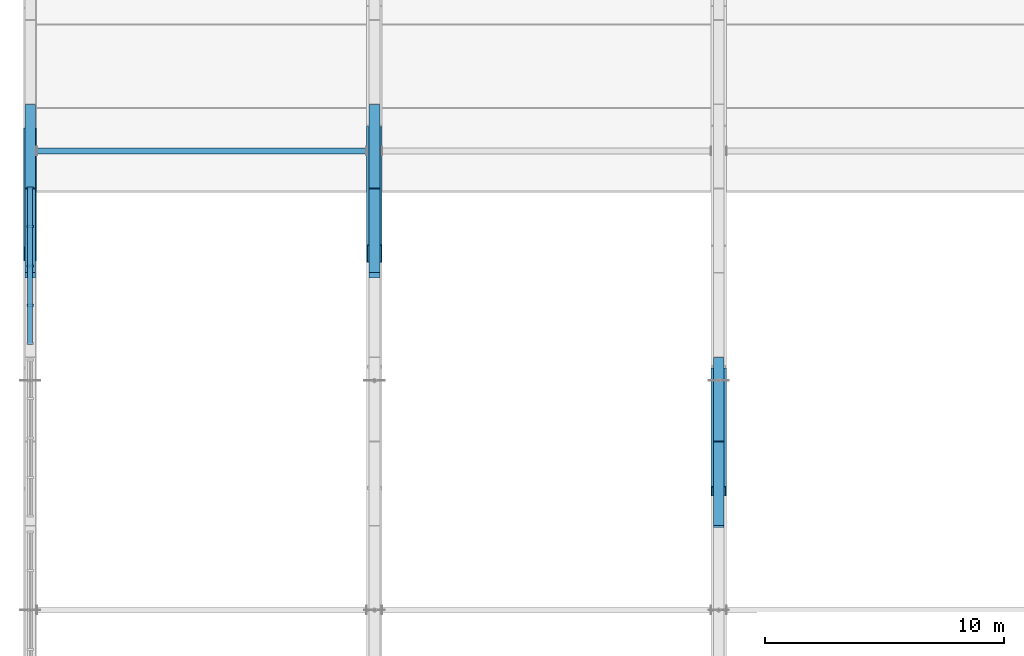
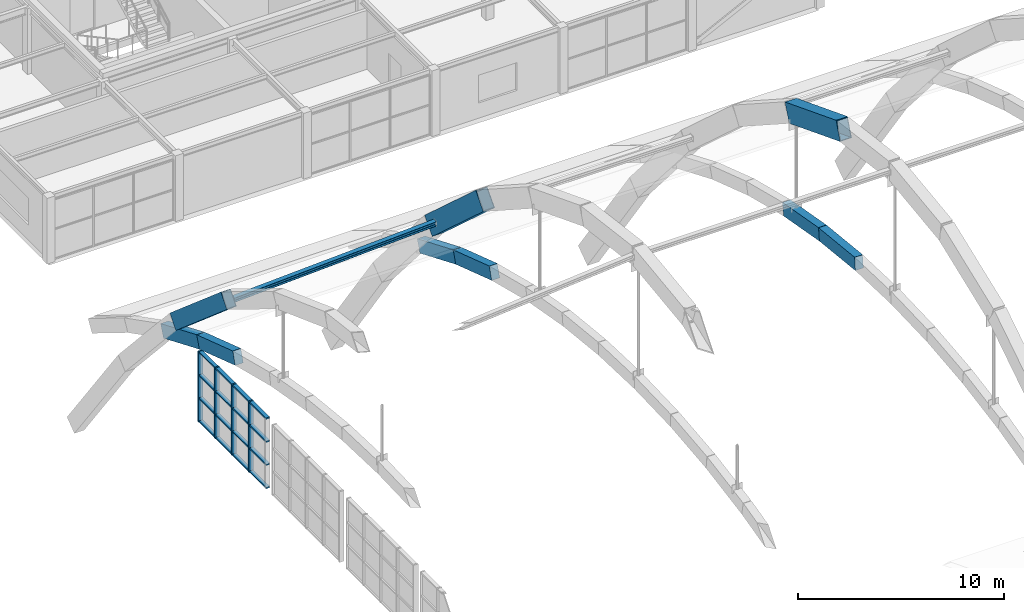
# One storey, part 13 of 64: 12 members, 6 beams, 1 element without a shape of its own.
"""IFC4 building model written with IfcOpenShell, lengths in metres."""

import ifcopenshell
import ifcopenshell.guid

model = None  # the IFC model being written
_history = None  # IfcOwnerHistory: only IFC2X3 demands one
_inside = {}  # id of a spatial element -> (the spatial element, [elements in it])
_under = {}  # id of a project, library or spatial element -> (it, [spatial elements below it])
_declared = {}  # id of a project -> (the project, [libraries it declares])
_typed = {}  # id of a type object -> (the type object, [elements of that type])
_made_of = {}  # id of a material, layer set ... -> (it, [elements and type objects made of it])


def new_model(schema):
    """Start an empty IFC model of exactly this schema.

    Asked for "IFC4X3", IfcOpenShell would pick the latest addendum, in which some entities
    have other attributes; the version numbers below select the first issue.
    IFC2X3 requires an IfcOwnerHistory on every rooted entity: one is made here for all.
    """
    global model, _history
    if schema == "IFC4X3":
        model = ifcopenshell.file(schema_version=(4, 3, 0, 0))
    else:
        model = ifcopenshell.file(schema=schema)
    _inside.clear()
    _under.clear()
    _declared.clear()
    _typed.clear()
    _made_of.clear()
    _history = None
    if model.schema == "IFC2X3":
        org = make("IfcOrganization", Name="unknown")
        user = make(
            "IfcPersonAndOrganization",
            ThePerson=make("IfcPerson", FamilyName="unknown"),
            TheOrganization=org,
        )
        app = make(
            "IfcApplication",
            ApplicationDeveloper=org,
            Version="unknown",
            ApplicationFullName="unknown",
            ApplicationIdentifier="unknown",
        )
        _history = make(
            "IfcOwnerHistory",
            OwningUser=user,
            OwningApplication=app,
            ChangeAction="ADDED",
            CreationDate=0,
        )
    return model


def make(cls, **values):
    """One entity of the class cls with the attributes given. An attribute that is None is left unset."""
    return model.create_entity(
        cls, **{name: value for name, value in values.items() if value is not None}
    )


def rooted(cls, **values):
    """An entity with a GlobalId (a new one), such as an element, a storey or a relation."""
    return make(cls, GlobalId=ifcopenshell.guid.new(), OwnerHistory=_history, **values)


def si_unit(unit_type, name, prefix=None):
    """IfcSIUnit, for example si_unit("LENGTHUNIT", "METRE", prefix="MILLI")."""
    return make("IfcSIUnit", UnitType=unit_type, Prefix=prefix, Name=name)


def assignment(units):
    """IfcUnitAssignment: the units of a project."""
    return None if units is None else make("IfcUnitAssignment", Units=units)


def point(xyz):
    """IfcCartesianPoint."""
    return None if xyz is None else make("IfcCartesianPoint", Coordinates=xyz)


def direction(xyz):
    """IfcDirection."""
    return None if xyz is None else make("IfcDirection", DirectionRatios=xyz)


def frame(location, z_axis=None, x_axis=None):
    """IfcAxis2Placement3D, a coordinate frame: its origin and axes. An axis left out is left unset."""
    return make(
        "IfcAxis2Placement3D",
        Location=point(location),
        Axis=direction(z_axis),
        RefDirection=direction(x_axis),
    )


def frame_2d(location, x_axis=None):
    """IfcAxis2Placement2D, a coordinate frame in the plane: its origin and x axis."""
    return make(
        "IfcAxis2Placement2D", Location=point(location), RefDirection=direction(x_axis)
    )


def origin():
    """The frame at (0, 0, 0) with its axes left unset."""
    return frame((0.0, 0.0, 0.0))


def origin_2d():
    """The frame at (0, 0) in the plane with its x axis left unset."""
    return frame_2d((0.0, 0.0))


def place(relative_to, where):
    """IfcLocalPlacement: puts the frame where relative to a parent placement (None: the world)."""
    return make(
        "IfcLocalPlacement", PlacementRelTo=relative_to, RelativePlacement=where
    )


def context(
    kind, dimensions, precision=None, world=None, true_north=None, identifier=None
):
    """IfcGeometricRepresentationContext, for example the 3D "Model" context."""
    return make(
        "IfcGeometricRepresentationContext",
        ContextIdentifier=identifier,
        ContextType=kind,
        CoordinateSpaceDimension=dimensions,
        Precision=precision,
        WorldCoordinateSystem=world,
        TrueNorth=true_north,
    )


def subcontext(parent, identifier, kind, view, scale=None):
    """IfcGeometricRepresentationSubContext, for example "Body" below "Model"."""
    return make(
        "IfcGeometricRepresentationSubContext",
        ContextIdentifier=identifier,
        ContextType=kind,
        ParentContext=parent,
        TargetScale=scale,
        TargetView=view,
    )


def project(units=None, contexts=None):
    """IfcProject with its units and contexts."""
    return rooted(
        "IfcProject",
        Name="project",
        RepresentationContexts=contexts,
        UnitsInContext=assignment(units),
    )


def spatial(cls, under=None, at=None, **own):
    """A site, building, storey or space (cls), placed at a placement, below another one or the project."""
    s = rooted(cls, ObjectPlacement=at, **own)
    if under is not None:
        _under.setdefault(under.id(), (under, []))[1].append(s)
    return s


def profile(cls, at=None, kind="AREA", **sizes):
    """A parametric profile (cls). Its sizes go by their IFC names, for example OverallWidth=200.0."""
    return make(cls, ProfileType=kind, Position=at, **sizes)


def rectangle(**sizes):
    """IfcRectangleProfileDef."""
    return profile("IfcRectangleProfileDef", **sizes)


def hollow_rectangle(**sizes):
    """IfcRectangleHollowProfileDef."""
    return profile("IfcRectangleHollowProfileDef", **sizes)


def i_section(**sizes):
    """IfcIShapeProfileDef."""
    return profile("IfcIShapeProfileDef", **sizes)


def extrude(swept, where, along, depth):
    """IfcExtrudedAreaSolid: the profile swept, set in the frame where, extruded along a direction by depth."""
    return make(
        "IfcExtrudedAreaSolid",
        SweptArea=swept,
        Position=where,
        ExtrudedDirection=direction(along),
        Depth=depth,
    )


def shape(context_of_items, identifier, shape_type, items):
    """IfcShapeRepresentation: the items that make up one representation, for example the "Body"."""
    return make(
        "IfcShapeRepresentation",
        ContextOfItems=context_of_items,
        RepresentationIdentifier=identifier,
        RepresentationType=shape_type,
        Items=items,
    )


def material(Name=None, Category=None):
    """IfcMaterial."""
    return make("IfcMaterial", Name=Name, Category=Category)


def material_profile(
    of_material, cross_section, Name=None, Category=None, Priority=None
):
    """IfcMaterialProfile: a cross section and its material."""
    return make(
        "IfcMaterialProfile",
        Name=Name,
        Material=of_material,
        Profile=cross_section,
        Priority=Priority,
        Category=Category,
    )


def profile_set(profiles, Name=None, composite=None):
    """IfcMaterialProfileSet."""
    return make(
        "IfcMaterialProfileSet",
        Name=Name,
        MaterialProfiles=profiles,
        CompositeProfile=composite,
    )


def made_of(thing, what):
    """Note that an element or type object is made of a material, layer set ...; save() writes the relation."""
    if what is not None:
        _made_of.setdefault(what.id(), (what, []))[1].append(thing)
    return thing


def type_object(cls, material=None, **own):
    """A type object (cls), such as IfcWallType, which elements share."""
    return made_of(rooted(cls, **own), material)


def element(
    cls,
    number,
    at=None,
    inside=None,
    cuts=None,
    type_object=None,
    material=None,
    context=None,
    identifier="Body",
    shape_type=None,
    held_by="IfcProductDefinitionShape",
    body=None,
    shapes=None,
    **own,
):
    """One element of the class cls, such as IfcWall. Its Tag is "e" and its number.

    at: its placement. inside: the storey or other place that contains it. cuts: it is an
    opening in that element (IfcRelVoidsElement). A single representation is given by context,
    identifier, shape_type and body (its items); several are given by shapes. held_by: the class
    of the entity that holds the representations. save() writes the other relations.
    """
    e = rooted(cls, Tag="e%d" % number, ObjectPlacement=at, **own)
    if body is not None:
        shapes = [shape(context, identifier, shape_type, body)]
    if shapes is not None:
        e.Representation = make(held_by, Representations=shapes)
    if inside is not None:
        _inside.setdefault(inside.id(), (inside, []))[1].append(e)
    if cuts is not None:
        rooted(
            "IfcRelVoidsElement", RelatingBuildingElement=cuts, RelatedOpeningElement=e
        )
    if type_object is not None:
        _typed.setdefault(type_object.id(), (type_object, []))[1].append(e)
    return made_of(e, material)


def aggregate(whole, parts):
    """IfcRelAggregates: a whole, such as a stair, and the parts it consists of."""
    return rooted("IfcRelAggregates", RelatingObject=whole, RelatedObjects=parts)


def save(model, path):
    """Write the relations noted so far, then the file.

    IfcRelAggregates (storeys below a building ...), IfcRelContainedInSpatialStructure (elements
    in a storey), IfcRelDefinesByType, IfcRelAssociatesMaterial and IfcRelDeclares: one each for
    every whole, place, type object, material and project.
    """
    for whole, parts in _under.values():
        aggregate(whole, parts)
    for where, things in _inside.values():
        rooted(
            "IfcRelContainedInSpatialStructure",
            RelatedElements=things,
            RelatingStructure=where,
        )
    for kind, things in _typed.values():
        rooted("IfcRelDefinesByType", RelatedObjects=things, RelatingType=kind)
    for what, things in _made_of.values():
        rooted("IfcRelAssociatesMaterial", RelatedObjects=things, RelatingMaterial=what)
    for by, libraries in _declared.values():
        rooted("IfcRelDeclares", RelatingContext=by, RelatedDefinitions=libraries)
    model.write(path)


model = new_model("IFC4")

# Units and contexts
model_context = context("Model", 3, precision=1e-05, world=origin(), true_north=direction((0.0, 1.0)))
body_context = subcontext(model_context, "Body", "Model", "MODEL_VIEW")
ifc_project = project(units=[si_unit("LENGTHUNIT", "METRE"), si_unit("AREAUNIT", "SQUARE_METRE"), si_unit("VOLUMEUNIT", "CUBIC_METRE"), si_unit("PLANEANGLEUNIT", "RADIAN"), si_unit("MASSUNIT", "GRAM", prefix="KILO")], contexts=[model_context])

# Site, building, storey
site_placement = place(None, origin())
site = spatial("IfcSite", under=ifc_project, at=site_placement, CompositionType="ELEMENT")
building_placement = place(site_placement, origin())
building = spatial("IfcBuilding", under=site, at=building_placement, Name="Leyfeld Transit Interchange", CompositionType="ELEMENT")
storey_placement = place(building_placement, frame((0.0, 0.0, 9.60009765625)))
storey = spatial("IfcBuildingStorey", under=building, at=storey_placement, Name="L02", CompositionType="ELEMENT", Elevation=9.60009765625)

# Beams
ifc_material_1 = material(Name="Concrete C40/50", Category="concrete")
ifc_material_profile_1 = material_profile(ifc_material_1, rectangle(XDim=0.449951171875, YDim=0.75, at=origin_2d()), Name="RC 750x450 RIB")
ifc_profile_set_1 = profile_set([ifc_material_profile_1], Name="Concrete C40/50")
beam_type = type_object("IfcBeamType", Name="BM-RIB-750x450", PredefinedType="USERDEFINED", material=ifc_profile_set_1)
beam_1_placement = place(storey_placement, frame((0.0, 46.39990234375, 5.440185546875), z_axis=(0.0, 0.949033570575, -0.315175002058), x_axis=(-1.0, 0.0, 0.0)))
element("IfcBeam", 1, at=beam_1_placement, inside=storey, type_object=beam_type, Name="Concourse Vault Rib A1 Seg 13", ObjectType="ARCH_RIB", PredefinedType="USERDEFINED", context=body_context, shape_type="SweptSolid", body=[
    extrude(rectangle(XDim=0.449951171875, YDim=0.75, at=origin_2d()), origin(), (0.0, 0.0, 1.0), 3.68798828125),
])
beam_2_placement = place(storey_placement, frame((0.0, 49.89990234375, 4.27783203125), z_axis=(0.0, 0.922787193718, -0.385309998716), x_axis=(-1.0, 0.0, 0.0)))
element("IfcBeam", 2, at=beam_2_placement, inside=storey, type_object=beam_type, Name="Concourse Vault Rib A1 Seg 14", ObjectType="ARCH_RIB", PredefinedType="USERDEFINED", context=body_context, shape_type="SweptSolid", body=[
    extrude(rectangle(XDim=0.449951171875, YDim=0.75, at=origin_2d()), origin(), (0.0, 0.0, 1.0), 3.79296875),
])
beam_3_placement = place(storey_placement, frame((14.39990234375, 46.39990234375, 5.440185546875), z_axis=(0.0, 0.949033570575, -0.315175002058), x_axis=(-1.0, 0.0, 0.0)))
element("IfcBeam", 3, at=beam_3_placement, inside=storey, type_object=beam_type, Name="Concourse Vault Rib A2 Seg 13", ObjectType="ARCH_RIB", PredefinedType="USERDEFINED", context=body_context, shape_type="SweptSolid", body=[
    extrude(rectangle(XDim=0.449951171875, YDim=0.75, at=origin_2d()), origin(), (0.0, 0.0, 1.0), 3.68798828125),
])
beam_4_placement = place(storey_placement, frame((14.39990234375, 49.89990234375, 4.27783203125), z_axis=(0.0, 0.922787193718, -0.385309998716), x_axis=(-1.0, 0.0, 0.0)))
element("IfcBeam", 4, at=beam_4_placement, inside=storey, type_object=beam_type, Name="Concourse Vault Rib A2 Seg 14", ObjectType="ARCH_RIB", PredefinedType="USERDEFINED", context=body_context, shape_type="SweptSolid", body=[
    extrude(rectangle(XDim=0.449951171875, YDim=0.75, at=origin_2d()), origin(), (0.0, 0.0, 1.0), 3.79296875),
])
beam_5_placement = place(storey_placement, frame((28.800048828125, 35.89990234375, 7.317626953125), z_axis=(0.0, 0.99446241795, -0.105092812723), x_axis=(-1.0, 0.0, 0.0)))
element("IfcBeam", 5, at=beam_5_placement, inside=storey, type_object=beam_type, Name="Concourse Vault Rib A3 Seg 10", ObjectType="ARCH_RIB", PredefinedType="USERDEFINED", context=body_context, shape_type="SweptSolid", body=[
    extrude(rectangle(XDim=0.449951171875, YDim=0.75, at=origin_2d()), origin(), (0.0, 0.0, 1.0), 3.51953125),
])
beam_6_placement = place(storey_placement, frame((28.800048828125, 39.39990234375, 6.94775390625), z_axis=(0.0, 0.984546197367, -0.175125056033), x_axis=(-1.0, 0.0, 0.0)))
element("IfcBeam", 6, at=beam_6_placement, inside=storey, type_object=beam_type, Name="Concourse Vault Rib A3 Seg 11", ObjectType="ARCH_RIB", PredefinedType="USERDEFINED", context=body_context, shape_type="SweptSolid", body=[
    extrude(rectangle(XDim=0.449951171875, YDim=0.75, at=origin_2d()), origin(), (0.0, 0.0, 1.0), 3.554931640625),
])

# Curtain wall, members
ifc_material_2 = material(Name="Anodised aluminium EN AW-6060 T66", Category="aluminium")
curtain_wall_type = type_object("IfcCurtainWallType", Name="CW-SYS-GAB-7200", PredefinedType="NOTDEFINED", material=ifc_material_2)
curtain_wall_placement = place(storey_placement, origin())
curtain_wall = element("IfcCurtainWall", 7, at=curtain_wall_placement, inside=storey, type_object=curtain_wall_type, Name="Curtain Wall CW-L02-GABW-05", PredefinedType="NOTDEFINED")
ifc_material_profile_2 = material_profile(ifc_material_2, rectangle(XDim=0.0849609375, YDim=0.260009765625, at=origin_2d()), Name="CW-M 85x260")
ifc_profile_set_2 = profile_set([ifc_material_profile_2], Name="Anodised aluminium EN AW-6060 T66")
member_type_1 = type_object("IfcMemberType", Name="CW-MUL-220x80", PredefinedType="MULLION", material=ifc_profile_set_2)
member_1_placement = place(storey_placement, frame((0.0, 45.14990234375, -0.60009765625), z_axis=(0.0, 0.0, 1.0), x_axis=(0.0, 1.0, 0.0)))
member_1 = element("IfcMember", 8, at=member_1_placement, type_object=member_type_1, Name="Curtain Mullion CW-L02-GABW-05-M02", PredefinedType="MULLION", context=body_context, shape_type="SweptSolid", body=[
    extrude(rectangle(XDim=0.0849609375, YDim=0.260009765625, at=origin_2d()), origin(), (0.0, 0.0, 1.0), 4.199951171875),
])
member_2_placement = place(storey_placement, frame((0.0, 46.800048828125, -0.60009765625), z_axis=(0.0, 0.0, 1.0), x_axis=(0.0, 1.0, 0.0)))
member_2 = element("IfcMember", 9, at=member_2_placement, type_object=member_type_1, Name="Curtain Mullion CW-L02-GABW-05-M03", PredefinedType="MULLION", context=body_context, shape_type="SweptSolid", body=[
    extrude(rectangle(XDim=0.0849609375, YDim=0.260009765625, at=origin_2d()), origin(), (0.0, 0.0, 1.0), 4.199951171875),
])
member_3_placement = place(storey_placement, frame((0.0, 48.449951171875, -0.60009765625), z_axis=(0.0, 0.0, 1.0), x_axis=(0.0, 1.0, 0.0)))
member_3 = element("IfcMember", 10, at=member_3_placement, type_object=member_type_1, Name="Curtain Mullion CW-L02-GABW-05-M04", PredefinedType="MULLION", context=body_context, shape_type="SweptSolid", body=[
    extrude(rectangle(XDim=0.0849609375, YDim=0.260009765625, at=origin_2d()), origin(), (0.0, 0.0, 1.0), 4.199951171875),
])
member_4_placement = place(storey_placement, frame((0.0, 50.0576171875, -0.60009765625), z_axis=(0.0, 0.0, 1.0), x_axis=(0.0, 1.0, 0.0)))
member_4 = element("IfcMember", 11, at=member_4_placement, type_object=member_type_1, Name="Curtain Mullion CW-L02-GABW-05-M05", PredefinedType="MULLION", context=body_context, shape_type="SweptSolid", body=[
    extrude(rectangle(XDim=0.0849609375, YDim=0.260009765625, at=origin_2d()), origin(), (0.0, 0.0, 1.0), 4.199951171875),
])
ifc_material_profile_3 = material_profile(ifc_material_2, rectangle(XDim=0.2099609375, YDim=0.0849609375, at=origin_2d()), Name="CW-TRN-200x80")
ifc_profile_set_3 = profile_set([ifc_material_profile_3], Name="Anodised aluminium EN AW-6060 T66")
member_type_2 = type_object("IfcMemberType", Name="CW-TRN-200x80", PredefinedType="USERDEFINED", material=ifc_profile_set_3)
member_5_placement = place(storey_placement, frame((0.0, 43.5, -0.5576171875), z_axis=(0.0, 1.0, 0.0), x_axis=(-1.0, 0.0, 0.0)))
member_5 = element("IfcMember", 12, at=member_5_placement, type_object=member_type_2, Name="Curtain Transom CW-L02-GABW-05-T01", ObjectType="TRANSOM", PredefinedType="USERDEFINED", context=body_context, shape_type="SweptSolid", body=[
    extrude(rectangle(XDim=0.2099609375, YDim=0.0849609375, at=origin_2d()), origin(), (0.0, 0.0, 1.0), 6.60009765625),
])
member_6_placement = place(storey_placement, frame((0.0, 43.5, 0.814208984375), z_axis=(0.0, 1.0, 0.0), x_axis=(-1.0, 0.0, 0.0)))
member_6 = element("IfcMember", 13, at=member_6_placement, type_object=member_type_2, Name="Curtain Transom CW-L02-GABW-05-T02", ObjectType="TRANSOM", PredefinedType="USERDEFINED", context=body_context, shape_type="SweptSolid", body=[
    extrude(rectangle(XDim=0.2099609375, YDim=0.0849609375, at=origin_2d()), origin(), (0.0, 0.0, 1.0), 6.60009765625),
])
member_7_placement = place(storey_placement, frame((0.0, 43.5, 2.185791015625), z_axis=(0.0, 1.0, 0.0), x_axis=(-1.0, 0.0, 0.0)))
member_7 = element("IfcMember", 14, at=member_7_placement, type_object=member_type_2, Name="Curtain Transom CW-L02-GABW-05-T03", ObjectType="TRANSOM", PredefinedType="USERDEFINED", context=body_context, shape_type="SweptSolid", body=[
    extrude(rectangle(XDim=0.2099609375, YDim=0.0849609375, at=origin_2d()), origin(), (0.0, 0.0, 1.0), 6.60009765625),
])
member_8_placement = place(storey_placement, frame((0.0, 43.5, 3.557373046875), z_axis=(0.0, 1.0, 0.0), x_axis=(-1.0, 0.0, 0.0)))
member_8 = element("IfcMember", 15, at=member_8_placement, type_object=member_type_2, Name="Curtain Transom CW-L02-GABW-05-T04", ObjectType="TRANSOM", PredefinedType="USERDEFINED", context=body_context, shape_type="SweptSolid", body=[
    extrude(rectangle(XDim=0.2099609375, YDim=0.0849609375, at=origin_2d()), origin(), (0.0, 0.0, 1.0), 6.60009765625),
])
aggregate(curtain_wall, [member_1, member_2, member_3, member_4, member_5, member_6, member_7, member_8])

# Members
ifc_material_3 = material(Name="Steel S355J2 - Ochre Arch", Category="steel")
ifc_material_profile_4 = material_profile(ifc_material_3, hollow_rectangle(XDim=0.64990234375, YDim=1.10009765625, WallThickness=0.035888671875, at=origin_2d()), Name="RHS 1100x650x36")
ifc_profile_set_4 = profile_set([ifc_material_profile_4], Name="Steel S355J2 - Ochre Arch")
member_type_3 = type_object("IfcMemberType", Name="MEM-ARCH-1100", PredefinedType="USERDEFINED", material=ifc_profile_set_4)
member_9_placement = place(storey_placement, frame((14.39990234375, 47.300048828125, 9.224853515625), z_axis=(0.0, 0.741673096265, -0.670761521166), x_axis=(-1.0, 0.0, 0.0)))
element("IfcMember", 16, at=member_9_placement, inside=storey, type_object=member_type_3, Name="Primary Steel Arch AR-01 Seg 10", ObjectType="ARCH_SEGMENT", PredefinedType="USERDEFINED", context=body_context, shape_type="SweptSolid", body=[
    extrude(hollow_rectangle(XDim=0.64990234375, YDim=1.10009765625, WallThickness=0.035888671875, at=origin_2d()), origin(), (0.0, 0.0, 1.0), 6.696533203125),
])
member_10_placement = place(storey_placement, frame((28.800048828125, 37.36669921875, 14.358154296875), z_axis=(0.0, 0.932424670612, -0.361364405599), x_axis=(-1.0, 0.0, 0.0)))
element("IfcMember", 17, at=member_10_placement, inside=storey, type_object=member_type_3, Name="Primary Steel Arch AR-02 Seg 8", ObjectType="ARCH_SEGMENT", PredefinedType="USERDEFINED", context=body_context, shape_type="SweptSolid", body=[
    extrude(hollow_rectangle(XDim=0.64990234375, YDim=1.10009765625, WallThickness=0.035888671875, at=origin_2d()), origin(), (0.0, 0.0, 1.0), 5.326416015625),
])
ifc_material_profile_5 = material_profile(ifc_material_3, hollow_rectangle(XDim=0.550048828125, YDim=0.89990234375, WallThickness=0.031982421875, at=origin_2d()), Name="RHS 900x550x32")
ifc_profile_set_5 = profile_set([ifc_material_profile_5], Name="Steel S355J2 - Ochre Arch")
member_type_4 = type_object("IfcMemberType", Name="MEM-ARCH-900", PredefinedType="USERDEFINED", material=ifc_profile_set_5)
member_11_placement = place(storey_placement, frame((0.0, 47.300048828125, 8.324951171875), z_axis=(0.0, 0.759143322259, -0.650923510306), x_axis=(-1.0, 0.0, 0.0)))
element("IfcMember", 18, at=member_11_placement, inside=storey, type_object=member_type_4, Name="Primary Steel Arch GP-W Seg 10", ObjectType="ARCH_SEGMENT", PredefinedType="USERDEFINED", context=body_context, shape_type="SweptSolid", body=[
    extrude(hollow_rectangle(XDim=0.550048828125, YDim=0.89990234375, WallThickness=0.031982421875, at=origin_2d()), origin(), (0.0, 0.0, 1.0), 6.542236328125),
])
ifc_material_4 = material(Name="Steel S355J2", Category="steel")
ifc_material_profile_6 = material_profile(ifc_material_4, i_section(OverallWidth=0.260009765625, OverallDepth=0.260009765625, WebThickness=0.010009765625, FlangeThickness=0.017578125, FilletRadius=0.02392578125, at=origin_2d()), Name="HEB 260")
ifc_profile_set_6 = profile_set([ifc_material_profile_6], Name="Steel S355J2")
member_type_5 = type_object("IfcMemberType", Name="MEM-CHD-HEB260", PredefinedType="CHORD", material=ifc_profile_set_6)
member_12_placement = place(storey_placement, frame((0.27490234375, 51.60009765625, 4.63818359375), z_axis=(0.998723311739, 0.0, 0.050514815538), x_axis=(0.0, 1.0, 0.0)))
element("IfcMember", 19, at=member_12_placement, inside=storey, type_object=member_type_5, Name="Arch Longitudinal Tie Chord B1 T3", PredefinedType="CHORD", context=body_context, shape_type="SweptSolid", body=[
    extrude(i_section(OverallWidth=0.260009765625, OverallDepth=0.260009765625, WebThickness=0.010009765625, FlangeThickness=0.017578125, FilletRadius=0.02392578125, at=origin_2d()), origin(), (0.0, 0.0, 1.0), 13.817626953125),
])

save(model, "model.ifc")
